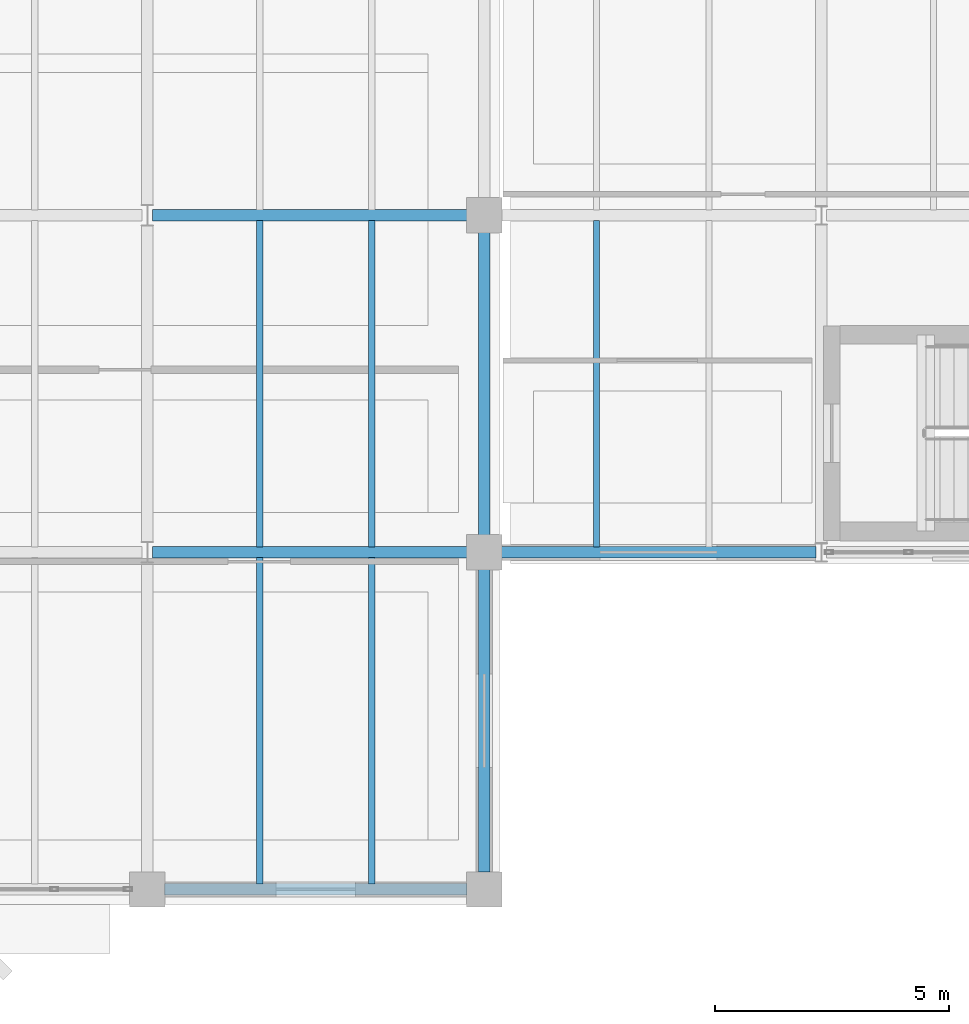
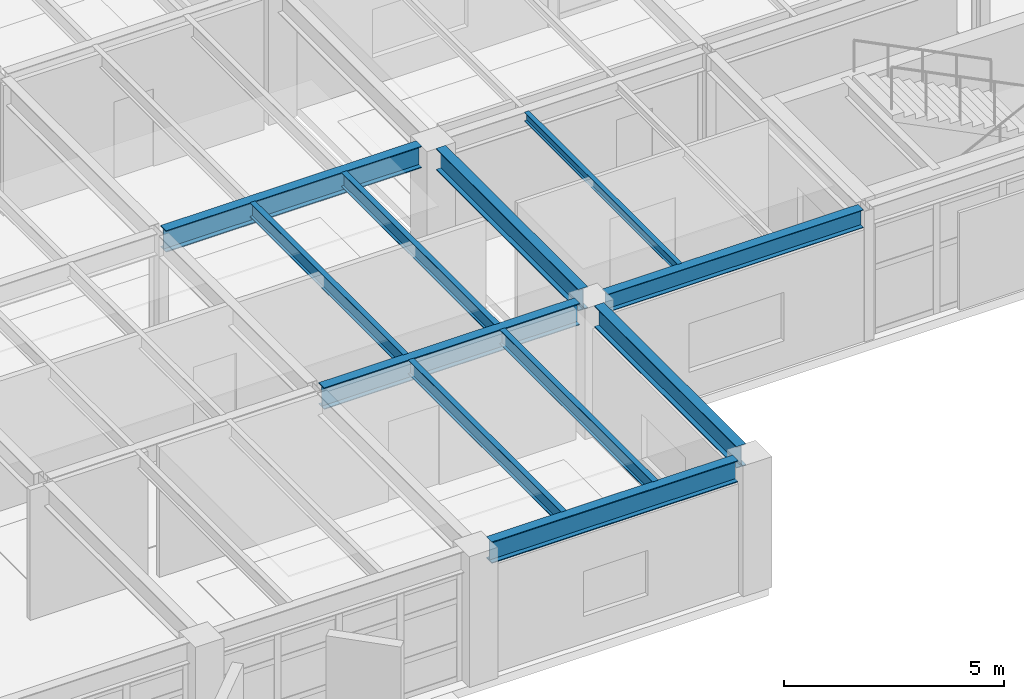
# One storey, part 13 of 48: 11 beams.
"""IFC4 building model written with IfcOpenShell, lengths in metres."""

from ifc_helpers import new_model, si_unit, direction, frame, origin, origin_2d, place, context, subcontext, project, spatial, i_section, extrude, material, material_profile, profile_set, type_object, element, save


model = new_model("IFC4")

# Units and contexts
model_context = context("Model", 3, precision=1e-05, world=origin(), true_north=direction((0.0, 1.0)))
body_context = subcontext(model_context, "Body", "Model", "MODEL_VIEW")
ifc_project = project(units=[si_unit("LENGTHUNIT", "METRE"), si_unit("AREAUNIT", "SQUARE_METRE"), si_unit("VOLUMEUNIT", "CUBIC_METRE"), si_unit("PLANEANGLEUNIT", "RADIAN"), si_unit("MASSUNIT", "GRAM", prefix="KILO")], contexts=[model_context])

# Site, building, storey
site_placement = place(None, origin())
site = spatial("IfcSite", under=ifc_project, at=site_placement, CompositionType="ELEMENT")
building_placement = place(site_placement, origin())
building = spatial("IfcBuilding", under=site, at=building_placement, Name="Kandorven Conservatory and Botanical Research Centre", CompositionType="ELEMENT")
storey_placement = place(building_placement, frame((0.0, 0.0, 13.199951171875)))
storey = spatial("IfcBuildingStorey", under=building, at=storey_placement, Name="L03", CompositionType="ELEMENT", Elevation=13.199951171875)

# Beams
ifc_material_1 = material(Name="Steel S355 (IS 2062 E350)", Category="steel")
ifc_material_profile_1 = material_profile(ifc_material_1, i_section(OverallWidth=0.25, OverallDepth=0.60009765625, WebThickness=0.01171875, FlangeThickness=0.023681640625, at=origin_2d()))
ifc_profile_set_1 = profile_set([ifc_material_profile_1], Name="Steel S355 (IS 2062 E350)")
beam_type_1 = type_object("IfcBeamType", Name="Beam_FG-01", PredefinedType="USERDEFINED", material=ifc_profile_set_1)
beam_1_placement = place(storey_placement, frame((35.1650390625, 6.0, 3.3349609375), z_axis=(1.0, 0.0, 0.0), x_axis=(0.0, 1.0, 0.0)))
element("IfcBeam", 1, at=beam_1_placement, inside=storey, type_object=beam_type_1, Name="Primary girder FG-01 TWR L03", ObjectType="GIRDER", PredefinedType="USERDEFINED", context=body_context, shape_type="SweptSolid", body=[
    extrude(i_section(OverallWidth=0.25, OverallDepth=0.60009765625, WebThickness=0.01171875, FlangeThickness=0.023681640625, at=origin_2d()), origin(), (0.0, 0.0, 1.0), 6.469970703125),
])
for number, where, z_axis, x_axis, name in (
    (2, (34.9150390625, 13.199951171875, 3.3349609375), (1.0, 0.0, 0.0), (0.0, 1.0, 0.0), "Primary girder FG-01 TWR L03"),
    (3, (34.9150390625, 20.39990234375, 3.3349609375), (1.0, 0.0, 0.0), (0.0, 1.0, 0.0), "Primary girder FG-01 TWR L03"),
):
    element("IfcBeam", number, at=place(storey_placement, frame(where, z_axis=z_axis, x_axis=x_axis)), inside=storey, type_object=beam_type_1, Name=name, ObjectType="GIRDER", PredefinedType="USERDEFINED", context=body_context, shape_type="SweptSolid", body=[
        extrude(i_section(OverallWidth=0.25, OverallDepth=0.60009765625, WebThickness=0.01171875, FlangeThickness=0.023681640625, at=origin_2d()), origin(), (0.0, 0.0, 1.0), 6.719970703125),
    ])
for number, where, z_axis, x_axis, name in (
    (4, (42.0, 6.364990234375, 3.3349609375), (0.0, 1.0, 0.0), (-1.0, 0.0, 0.0), "Primary girder FG-01 TWR L03"),
    (5, (42.0, 13.56494140625, 3.3349609375), (0.0, 1.0, 0.0), (-1.0, 0.0, 0.0), "Primary girder FG-01 TWR L03"),
):
    element("IfcBeam", number, at=place(storey_placement, frame(where, z_axis=z_axis, x_axis=x_axis)), inside=storey, type_object=beam_type_1, Name=name, ObjectType="GIRDER", PredefinedType="USERDEFINED", context=body_context, shape_type="SweptSolid", body=[
        extrude(i_section(OverallWidth=0.25, OverallDepth=0.60009765625, WebThickness=0.01171875, FlangeThickness=0.023681640625, at=origin_2d()), origin(), (0.0, 0.0, 1.0), 6.469970703125),
    ])
ifc_material_2 = material(Name="Steel S355 (IS 2062 E350)", Category="steel")
ifc_material_profile_2 = material_profile(ifc_material_2, i_section(OverallWidth=0.25, OverallDepth=0.5, WebThickness=0.010009765625, FlangeThickness=0.0146484375, at=origin_2d()))
ifc_profile_set_2 = profile_set([ifc_material_profile_2], Name="Steel S355 (IS 2062 E350)")
beam_type_2 = type_object("IfcBeamType", Name="Beam_FG-02", PredefinedType="USERDEFINED", material=ifc_profile_set_2)
beam_2_placement = place(storey_placement, frame((42.364990234375, 13.199951171875, 3.375), z_axis=(1.0, 0.0, 0.0), x_axis=(0.0, 1.0, 0.0)))
element("IfcBeam", 6, at=beam_2_placement, inside=storey, type_object=beam_type_2, Name="Primary girder FG-02 VIS L03", ObjectType="GIRDER", PredefinedType="USERDEFINED", context=body_context, shape_type="SweptSolid", body=[
    extrude(i_section(OverallWidth=0.25, OverallDepth=0.5, WebThickness=0.010009765625, FlangeThickness=0.0146484375, at=origin_2d()), origin(), (0.0, 0.0, 1.0), 6.719970703125),
])
ifc_material_3 = material(Name="Steel S355 (IS 2062 E350)", Category="steel")
ifc_material_profile_3 = material_profile(ifc_material_3, i_section(OverallWidth=0.125, OverallDepth=0.25, WebThickness=0.0068359375, FlangeThickness=0.012451171875, at=origin_2d()))
ifc_profile_set_3 = profile_set([ifc_material_profile_3], Name="Steel S355 (IS 2062 E350)")
beam_type_3 = type_object("IfcBeamType", Name="Beam_RJ-01", PredefinedType="JOIST", material=ifc_profile_set_3)
beam_3_placement = place(storey_placement, frame((44.39990234375, 13.31005859375, 3.5), z_axis=(0.0, 1.0, 0.0), x_axis=(-1.0, 0.0, 0.0)))
element("IfcBeam", 7, at=beam_3_placement, inside=storey, type_object=beam_type_3, Name="Composite secondary beam RJ-01 VIS L03", PredefinedType="JOIST", context=body_context, shape_type="SweptSolid", body=[
    extrude(i_section(OverallWidth=0.125, OverallDepth=0.25, WebThickness=0.0068359375, FlangeThickness=0.012451171875, at=origin_2d()), origin(), (0.0, 0.0, 1.0), 6.97998046875),
])
ifc_material_4 = material(Name="Steel S355 (IS 2062 E350)", Category="steel")
ifc_material_profile_4 = material_profile(ifc_material_4, i_section(OverallWidth=0.139892578125, OverallDepth=0.39990234375, WebThickness=0.0087890625, FlangeThickness=0.01611328125, at=origin_2d()))
ifc_profile_set_4 = profile_set([ifc_material_profile_4], Name="Steel S355 (IS 2062 E350)")
beam_type_4 = type_object("IfcBeamType", Name="Beam_SB-05", PredefinedType="BEAM", material=ifc_profile_set_4)
for number, where, z_axis, x_axis, name in (
    (8, (37.199951171875, 6.110107421875, 3.43505859375), (0.0, 1.0, 0.0), (-1.0, 0.0, 0.0), "Composite secondary beam SB-05 TWR L03"),
    (9, (39.60009765625, 6.110107421875, 3.43505859375), (0.0, 1.0, 0.0), (-1.0, 0.0, 0.0), "Composite secondary beam SB-05 TWR L03"),
    (10, (37.199951171875, 13.31005859375, 3.43505859375), (0.0, 1.0, 0.0), (-1.0, 0.0, 0.0), "Composite secondary beam SB-05 TWR L03"),
    (11, (39.60009765625, 13.31005859375, 3.43505859375), (0.0, 1.0, 0.0), (-1.0, 0.0, 0.0), "Composite secondary beam SB-05 TWR L03"),
):
    element("IfcBeam", number, at=place(storey_placement, frame(where, z_axis=z_axis, x_axis=x_axis)), inside=storey, type_object=beam_type_4, Name=name, PredefinedType="BEAM", context=body_context, shape_type="SweptSolid", body=[
        extrude(i_section(OverallWidth=0.139892578125, OverallDepth=0.39990234375, WebThickness=0.0087890625, FlangeThickness=0.01611328125, at=origin_2d()), origin(), (0.0, 0.0, 1.0), 6.97998046875),
    ])

save(model, "model.ifc")
